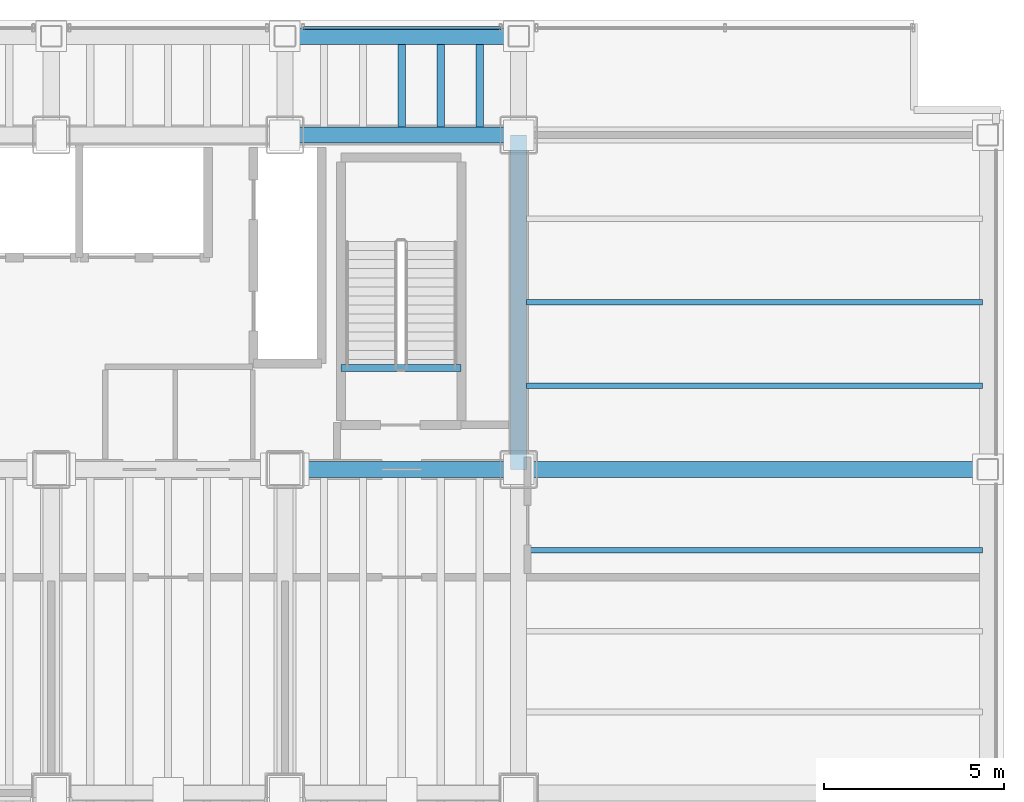
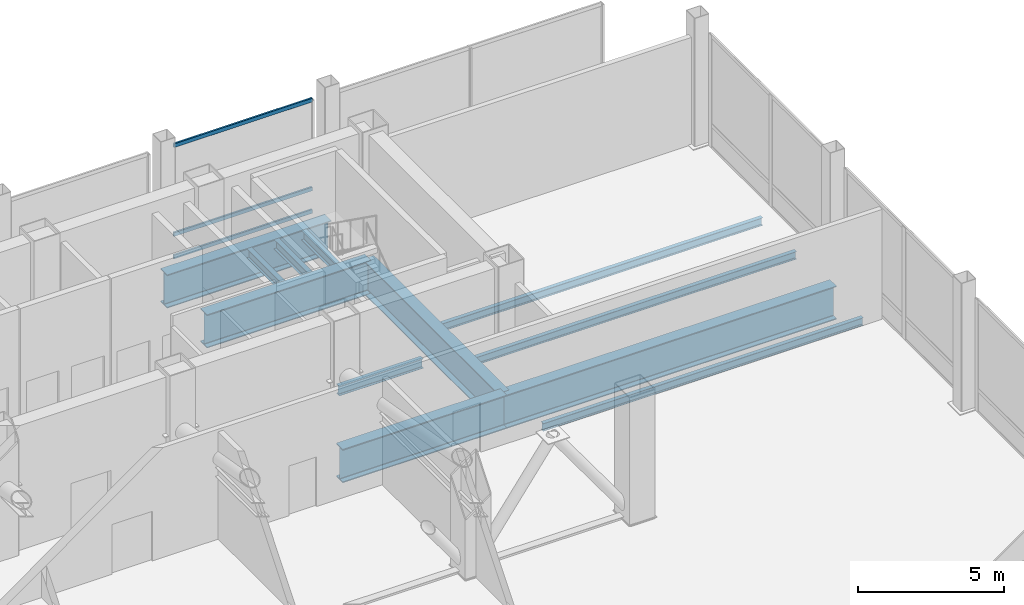
# One storey, part 15 of 20: 12 beams, 3 members, 1 element without a shape of its own.
"""IFC4 building model written with IfcOpenShell, lengths in metres."""

from ifc_helpers import new_model, si_unit, direction, frame, origin, origin_2d, place, context, subcontext, project, spatial, hollow_rectangle, i_section, extrude, material, material_profile, profile_set, type_object, element, aggregate, save


model = new_model("IFC4")

# Units and contexts
model_context = context("Model", 3, precision=1e-05, world=origin(), true_north=direction((0.0, 1.0)))
body_context = subcontext(model_context, "Body", "Model", "MODEL_VIEW")
ifc_project = project(units=[si_unit("LENGTHUNIT", "METRE"), si_unit("AREAUNIT", "SQUARE_METRE"), si_unit("VOLUMEUNIT", "CUBIC_METRE"), si_unit("PLANEANGLEUNIT", "RADIAN"), si_unit("MASSUNIT", "GRAM", prefix="KILO")], contexts=[model_context])

# Site, building, storey
site_placement = place(None, origin())
site = spatial("IfcSite", under=ifc_project, at=site_placement, CompositionType="ELEMENT")
building_placement = place(site_placement, origin())
building = spatial("IfcBuilding", under=site, at=building_placement, Name="Noeulbin Bourse Tower", CompositionType="ELEMENT")
storey_placement = place(building_placement, frame((0.0, 0.0, 100.60009765625)))
storey = spatial("IfcBuildingStorey", under=building, at=storey_placement, Name="L25", CompositionType="ELEMENT", Elevation=100.60009765625)

# Beams
ifc_material_1 = material(Name="Steel S355", Category="steel")
ifc_material_profile_1 = material_profile(ifc_material_1, i_section(OverallWidth=0.159912109375, OverallDepth=0.320068359375, WebThickness=0.006591796875, FlangeThickness=0.010009765625, FilletRadius=0.012939453125, at=origin_2d()), Name="H-320x160x6.5x10", Category="LoadBearing")
ifc_profile_set_1 = profile_set([ifc_material_profile_1], Name="Steel S355")
beam_type_1 = type_object("IfcBeamType", Name="BM-JST-320", PredefinedType="JOIST", material=ifc_profile_set_1)
for number, where, z_axis, x_axis, name in (
    (1, (44.22509765625, 26.75, -0.460205078125), (1.0, 0.0, 0.0), (0.0, 1.0, 0.0), "Wing Composite Joist L25-E78"),
    (2, (44.22509765625, 31.324951171875, -0.460205078125), (1.0, 0.0, 0.0), (0.0, 1.0, 0.0), "Wing Composite Joist L25-E79"),
    (3, (44.22509765625, 33.64990234375, -0.460205078125), (1.0, 0.0, 0.0), (0.0, 1.0, 0.0), "Wing Composite Joist L25-E80"),
):
    element("IfcBeam", number, at=place(storey_placement, frame(where, z_axis=z_axis, x_axis=x_axis)), inside=storey, type_object=beam_type_1, Name=name, PredefinedType="JOIST", context=body_context, shape_type="SweptSolid", body=[
        extrude(i_section(OverallWidth=0.159912109375, OverallDepth=0.320068359375, WebThickness=0.006591796875, FlangeThickness=0.010009765625, FilletRadius=0.012939453125, at=origin_2d()), origin(), (0.0, 0.0, 1.0), 12.6748046875),
    ])
ifc_material_profile_2 = material_profile(ifc_material_1, i_section(OverallWidth=0.199951171875, OverallDepth=0.39990234375, WebThickness=0.008056640625, FlangeThickness=0.012939453125, FilletRadius=0.01611328125, at=origin_2d()), Name="H-400x200x8x13", Category="LoadBearing")
ifc_profile_set_2 = profile_set([ifc_material_profile_2], Name="Steel S355")
beam_type_2 = type_object("IfcBeamType", Name="BM-SEC-400", PredefinedType="BEAM", material=ifc_profile_set_2)
for number, where, z_axis, x_axis, name in (
    (4, (40.75, 38.52490234375, -0.5), (0.0, 1.0, 0.0), (-1.0, 0.0, 0.0), "Tower Composite Joist L25-63"),
    (5, (41.833251953125, 38.52490234375, -0.5), (0.0, 1.0, 0.0), (-1.0, 0.0, 0.0), "Tower Composite Joist L25-66"),
    (6, (42.916748046875, 38.52490234375, -0.5), (0.0, 1.0, 0.0), (-1.0, 0.0, 0.0), "Tower Composite Joist L25-69"),
):
    element("IfcBeam", number, at=place(storey_placement, frame(where, z_axis=z_axis, x_axis=x_axis)), inside=storey, type_object=beam_type_2, Name=name, PredefinedType="BEAM", context=body_context, shape_type="SweptSolid", body=[
        extrude(i_section(OverallWidth=0.199951171875, OverallDepth=0.39990234375, WebThickness=0.008056640625, FlangeThickness=0.012939453125, FilletRadius=0.01611328125, at=origin_2d()), origin(), (0.0, 0.0, 1.0), 2.300048828125),
    ])
beam_1_placement = place(storey_placement, frame((39.06005859375, 31.820068359375, -0.2001953125), z_axis=(1.0, 0.0, 0.0), x_axis=(0.0, 1.0, 0.0)))
element("IfcBeam", 7, at=beam_1_placement, inside=storey, type_object=beam_type_2, Name="Stair Threshold Trimmer Beam ST2-L25", PredefinedType="BEAM", context=body_context, shape_type="SweptSolid", body=[
    extrude(i_section(OverallWidth=0.199951171875, OverallDepth=0.39990234375, WebThickness=0.008056640625, FlangeThickness=0.012939453125, FilletRadius=0.01611328125, at=origin_2d()), origin(), (0.0, 0.0, 1.0), 3.33984375),
])
ifc_material_2 = material(Name="Steel S460", Category="steel")
ifc_material_profile_3 = material_profile(ifc_material_2, i_section(OverallWidth=0.449951171875, OverallDepth=1.39990234375, WebThickness=0.02392578125, FlangeThickness=0.0400390625, FilletRadius=0.02392578125, at=origin_2d()), Name="PG-1400x450x24x40", Category="LoadBearing")
ifc_profile_set_3 = profile_set([ifc_material_profile_3], Name="Steel S460")
beam_type_3 = type_object("IfcBeamType", Name="BM-TRF-1400", PredefinedType="USERDEFINED", material=ifc_profile_set_3)
beam_2_placement = place(storey_placement, frame((37.5, 29.0, -1.0), z_axis=(1.0, 0.0, 0.0), x_axis=(0.0, 1.0, 0.0)))
element("IfcBeam", 8, at=beam_2_placement, inside=storey, type_object=beam_type_3, Name="Tower Primary Girder EW L25-2.5", ObjectType="GIRDER", PredefinedType="USERDEFINED", context=body_context, shape_type="SweptSolid", body=[
    extrude(i_section(OverallWidth=0.449951171875, OverallDepth=1.39990234375, WebThickness=0.02392578125, FlangeThickness=0.0400390625, FilletRadius=0.02392578125, at=origin_2d()), origin(), (0.0, 0.0, 1.0), 6.5),
])
beam_3_placement = place(storey_placement, frame((44.0, 29.0, -1.0), z_axis=(1.0, 0.0, 0.0), x_axis=(0.0, 1.0, 0.0)))
element("IfcBeam", 9, at=beam_3_placement, inside=storey, type_object=beam_type_3, Name="Tower Primary Girder EW L25-2.6", ObjectType="GIRDER", PredefinedType="USERDEFINED", context=body_context, shape_type="SweptSolid", body=[
    extrude(i_section(OverallWidth=0.449951171875, OverallDepth=1.39990234375, WebThickness=0.02392578125, FlangeThickness=0.0400390625, FilletRadius=0.02392578125, at=origin_2d()), origin(), (0.0, 0.0, 1.0), 13.050048828125),
])
beam_4_placement = place(storey_placement, frame((37.5, 38.300048828125, -1.0), z_axis=(1.0, 0.0, 0.0), x_axis=(0.0, 1.0, 0.0)))
element("IfcBeam", 10, at=beam_4_placement, inside=storey, type_object=beam_type_3, Name="Tower Primary Girder EW L25-3.5", ObjectType="GIRDER", PredefinedType="USERDEFINED", context=body_context, shape_type="SweptSolid", body=[
    extrude(i_section(OverallWidth=0.449951171875, OverallDepth=1.39990234375, WebThickness=0.02392578125, FlangeThickness=0.0400390625, FilletRadius=0.02392578125, at=origin_2d()), origin(), (0.0, 0.0, 1.0), 6.5),
])
beam_5_placement = place(storey_placement, frame((44.0, 29.0, -1.0), z_axis=(0.0, 1.0, 0.0), x_axis=(-1.0, 0.0, 0.0)))
element("IfcBeam", 11, at=beam_5_placement, inside=storey, type_object=beam_type_3, Name="Tower Primary Girder NS L25-5.3", ObjectType="GIRDER", PredefinedType="USERDEFINED", context=body_context, shape_type="SweptSolid", body=[
    extrude(i_section(OverallWidth=0.449951171875, OverallDepth=1.39990234375, WebThickness=0.02392578125, FlangeThickness=0.0400390625, FilletRadius=0.02392578125, at=origin_2d()), origin(), (0.0, 0.0, 1.0), 9.300048828125),
])
beam_6_placement = place(storey_placement, frame((37.5, 41.050048828125, -1.0), z_axis=(1.0, 0.0, 0.0), x_axis=(0.0, 1.0, 0.0)))
element("IfcBeam", 12, at=beam_6_placement, inside=storey, type_object=beam_type_3, Name="North Spandrel L25-4", ObjectType="GIRDER", PredefinedType="USERDEFINED", context=body_context, shape_type="SweptSolid", body=[
    extrude(i_section(OverallWidth=0.449951171875, OverallDepth=1.39990234375, WebThickness=0.02392578125, FlangeThickness=0.0400390625, FilletRadius=0.02392578125, at=origin_2d()), origin(), (0.0, 0.0, 1.0), 6.5),
])

# Curtain wall, members
ifc_material_3 = material(Name="Translucent Ceramic-Fritted Glass", Category="glass")
curtain_wall_type = type_object("IfcCurtainWallType", Name="CW-SYS-5", PredefinedType="NOTDEFINED", material=ifc_material_3)
curtain_wall_placement = place(storey_placement, origin())
curtain_wall = element("IfcCurtainWall", 13, at=curtain_wall_placement, inside=storey, type_object=curtain_wall_type, Name="Unitised Curtain Wall CW-L25-N-S5", PredefinedType="NOTDEFINED")
ifc_material_4 = material(Name="Anodised Aluminium 6063-T6", Category="aluminium")
ifc_material_profile_4 = material_profile(ifc_material_4, hollow_rectangle(XDim=0.074951171875, YDim=0.159912109375, WallThickness=0.0048828125, InnerFilletRadius=0.00244140625, OuterFilletRadius=0.0048828125, at=origin_2d()), Name="ALU-TRAN-75x160x5", Category="LoadBearing")
ifc_profile_set_4 = profile_set([ifc_material_profile_4], Name="Anodised Aluminium 6063-T6")
member_type = type_object("IfcMemberType", Name="CW-SYS-5-TRN", PredefinedType="USERDEFINED", material=ifc_profile_set_4)
member_1_placement = place(storey_placement, frame((38.010009765625, 41.280029296875, 0.010009765625), z_axis=(1.0, 0.0, 0.0), x_axis=(0.0, 1.0, 0.0)))
member_1 = element("IfcMember", 14, at=member_1_placement, type_object=member_type, Name="Curtain Wall Transom CW-L25-N-S5-T00", ObjectType="TRANSOM", PredefinedType="USERDEFINED", context=body_context, shape_type="SweptSolid", body=[
    extrude(hollow_rectangle(XDim=0.074951171875, YDim=0.159912109375, WallThickness=0.0048828125, InnerFilletRadius=0.00244140625, OuterFilletRadius=0.0048828125, at=origin_2d()), origin(), (0.0, 0.0, 1.0), 5.47998046875),
])
member_2_placement = place(storey_placement, frame((38.010009765625, 41.280029296875, 0.949951171875), z_axis=(1.0, 0.0, 0.0), x_axis=(0.0, 1.0, 0.0)))
member_2 = element("IfcMember", 15, at=member_2_placement, type_object=member_type, Name="Curtain Wall Transom CW-L25-N-S5-T01", ObjectType="TRANSOM", PredefinedType="USERDEFINED", context=body_context, shape_type="SweptSolid", body=[
    extrude(hollow_rectangle(XDim=0.074951171875, YDim=0.159912109375, WallThickness=0.0048828125, InnerFilletRadius=0.00244140625, OuterFilletRadius=0.0048828125, at=origin_2d()), origin(), (0.0, 0.0, 1.0), 5.47998046875),
])
member_3_placement = place(storey_placement, frame((38.010009765625, 41.280029296875, 4.669921875), z_axis=(1.0, 0.0, 0.0), x_axis=(0.0, 1.0, 0.0)))
member_3 = element("IfcMember", 16, at=member_3_placement, type_object=member_type, Name="Curtain Wall Transom CW-L25-N-S5-T02", ObjectType="TRANSOM", PredefinedType="USERDEFINED", context=body_context, shape_type="SweptSolid", body=[
    extrude(hollow_rectangle(XDim=0.074951171875, YDim=0.159912109375, WallThickness=0.0048828125, InnerFilletRadius=0.00244140625, OuterFilletRadius=0.0048828125, at=origin_2d()), origin(), (0.0, 0.0, 1.0), 5.47998046875),
])
aggregate(curtain_wall, [member_1, member_2, member_3])

save(model, "model.ifc")
